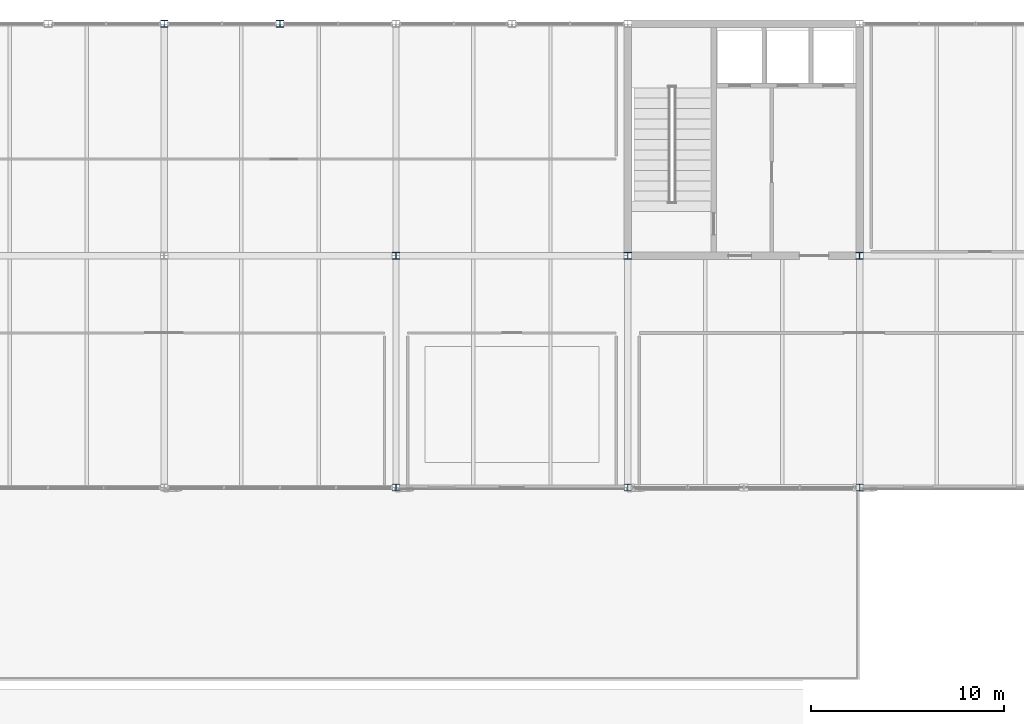
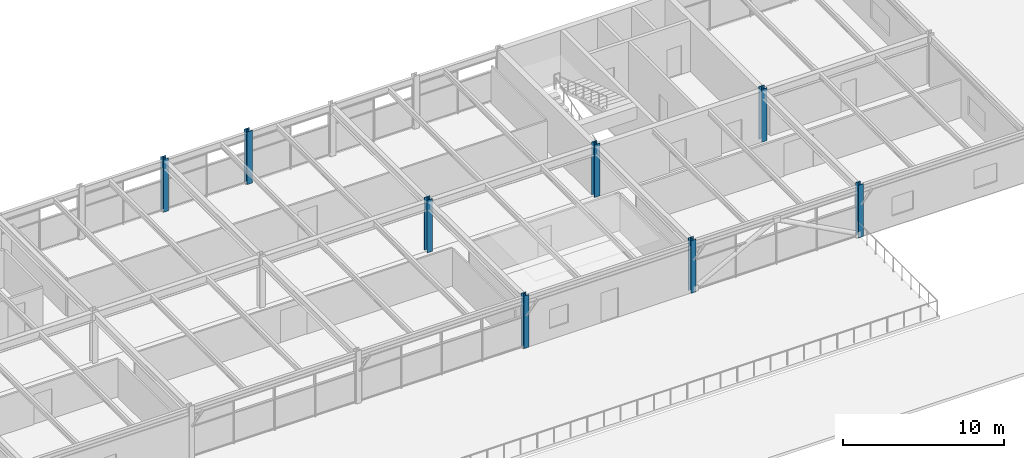
# One storey, part 4 of 30: 8 columns.
"""IFC4 building model written with IfcOpenShell, lengths in metres."""

from ifc_helpers import new_model, si_unit, direction, frame, origin, origin_2d, place, context, subcontext, project, spatial, i_section, extrude, material, material_profile, profile_set, type_object, element, save


model = new_model("IFC4")

# Units and contexts
model_context = context("Model", 3, precision=1e-05, world=origin(), true_north=direction((0.0, 1.0)))
body_context = subcontext(model_context, "Body", "Model", "MODEL_VIEW")
ifc_project = project(units=[si_unit("LENGTHUNIT", "METRE"), si_unit("AREAUNIT", "SQUARE_METRE"), si_unit("VOLUMEUNIT", "CUBIC_METRE"), si_unit("PLANEANGLEUNIT", "RADIAN"), si_unit("MASSUNIT", "GRAM", prefix="KILO")], contexts=[model_context])

# Site, building, storey
site_placement = place(None, origin())
site = spatial("IfcSite", under=ifc_project, at=site_placement, CompositionType="ELEMENT")
building_placement = place(site_placement, origin())
building = spatial("IfcBuilding", under=site, at=building_placement, Name="Girod Span Mobility Hub", CompositionType="ELEMENT")
storey_placement = place(building_placement, frame((0.0, 0.0, 49.60009765625)))
storey = spatial("IfcBuildingStorey", under=building, at=storey_placement, Name="L12", CompositionType="ELEMENT", Elevation=49.60009765625)

# Columns
ifc_material_1 = material(Name="Steel A992 Grade 50", Category="steel")
ifc_material_profile_1 = material_profile(ifc_material_1, i_section(OverallWidth=0.39404296875, OverallDepth=0.375, WebThickness=0.017333984375, FlangeThickness=0.027587890625, FilletRadius=0.01806640625, at=origin_2d()), Name="W14X145")
ifc_profile_set_1 = profile_set([ifc_material_profile_1], Name="Steel A992 Grade 50")
column_type_1 = type_object("IfcColumnType", Name="COL-STL-W14X145", PredefinedType="COLUMN", material=ifc_profile_set_1)
for number, where, z_axis, x_axis, name in (
    (1, (96.0, 57.0, 0.0), (0.0, 0.0, 1.0), (1.0, 0.0, 0.0), "Column 9E L12"),
    (2, (108.0, 57.0, 0.0), (0.0, 0.0, 1.0), (1.0, 0.0, 0.0), "Column 10E L12"),
    (3, (120.0, 57.0, 0.0), (0.0, 0.0, 1.0), (1.0, 0.0, 0.0), "Column 11E L12"),
    (4, (90.0, 69.0, 0.0), (0.0, 0.0, 1.0), (1.0, 0.0, 0.0), "Facade Intermediate Column INT-3 L12"),
):
    element("IfcColumn", number, at=place(storey_placement, frame(where, z_axis=z_axis, x_axis=x_axis)), inside=storey, type_object=column_type_1, Name=name, PredefinedType="COLUMN", context=body_context, shape_type="SweptSolid", body=[
        extrude(i_section(OverallWidth=0.39404296875, OverallDepth=0.375, WebThickness=0.017333984375, FlangeThickness=0.027587890625, FilletRadius=0.01806640625, at=origin_2d()), origin(), (0.0, 0.0, 1.0), 4.0),
    ])
ifc_material_2 = material(Name="Steel A992 Grade 50", Category="steel")
ifc_material_profile_2 = material_profile(ifc_material_2, i_section(OverallWidth=0.368896484375, OverallDepth=0.35595703125, WebThickness=0.01123046875, FlangeThickness=0.01806640625, FilletRadius=0.01806640625, at=origin_2d()), Name="W14X90")
ifc_profile_set_2 = profile_set([ifc_material_profile_2], Name="Steel A992 Grade 50")
column_type_2 = type_object("IfcColumnType", Name="COL-STL-W14X90", PredefinedType="COLUMN", material=ifc_profile_set_2)
for number, where, z_axis, x_axis, name in (
    (5, (84.0, 69.0, 0.0), (0.0, 0.0, 1.0), (1.0, 0.0, 0.0), "Column 8F L12"),
    (6, (96.0, 45.0, 0.0), (0.0, 0.0, 1.0), (1.0, 0.0, 0.0), "Column 9D L12"),
    (7, (108.0, 45.0, 0.0), (0.0, 0.0, 1.0), (1.0, 0.0, 0.0), "Column 10D L12"),
    (8, (120.0, 45.0, 0.0), (0.0, 0.0, 1.0), (1.0, 0.0, 0.0), "Column 11D L12"),
):
    element("IfcColumn", number, at=place(storey_placement, frame(where, z_axis=z_axis, x_axis=x_axis)), inside=storey, type_object=column_type_2, Name=name, PredefinedType="COLUMN", context=body_context, shape_type="SweptSolid", body=[
        extrude(i_section(OverallWidth=0.368896484375, OverallDepth=0.35595703125, WebThickness=0.01123046875, FlangeThickness=0.01806640625, FilletRadius=0.01806640625, at=origin_2d()), origin(), (0.0, 0.0, 1.0), 4.0),
    ])

save(model, "model.ifc")
